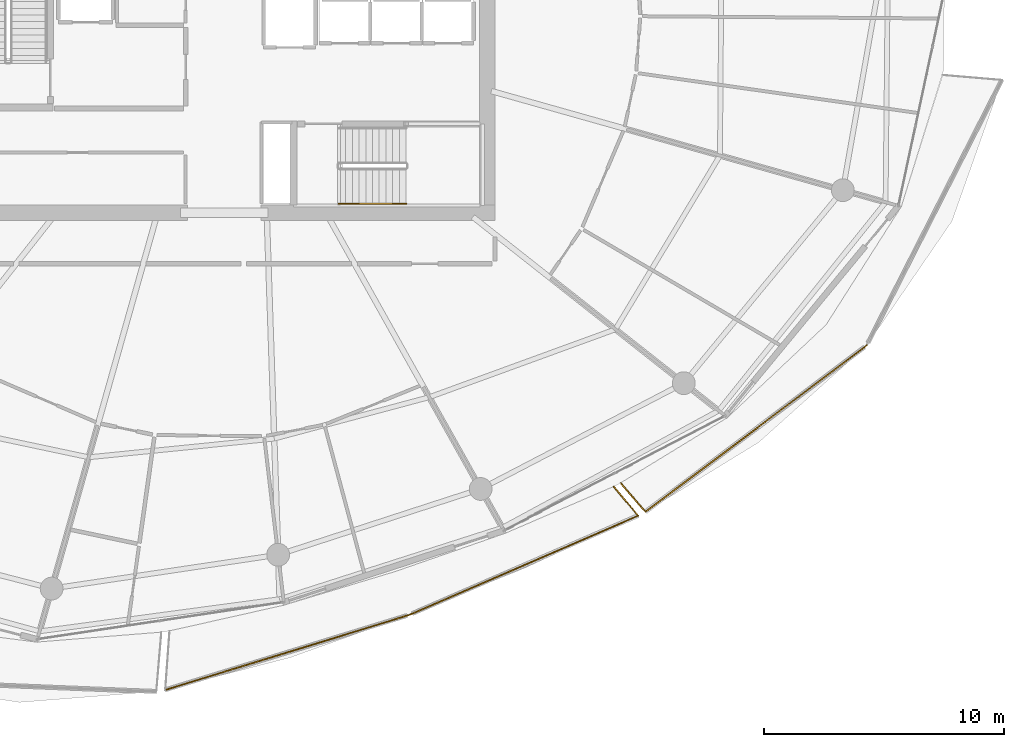
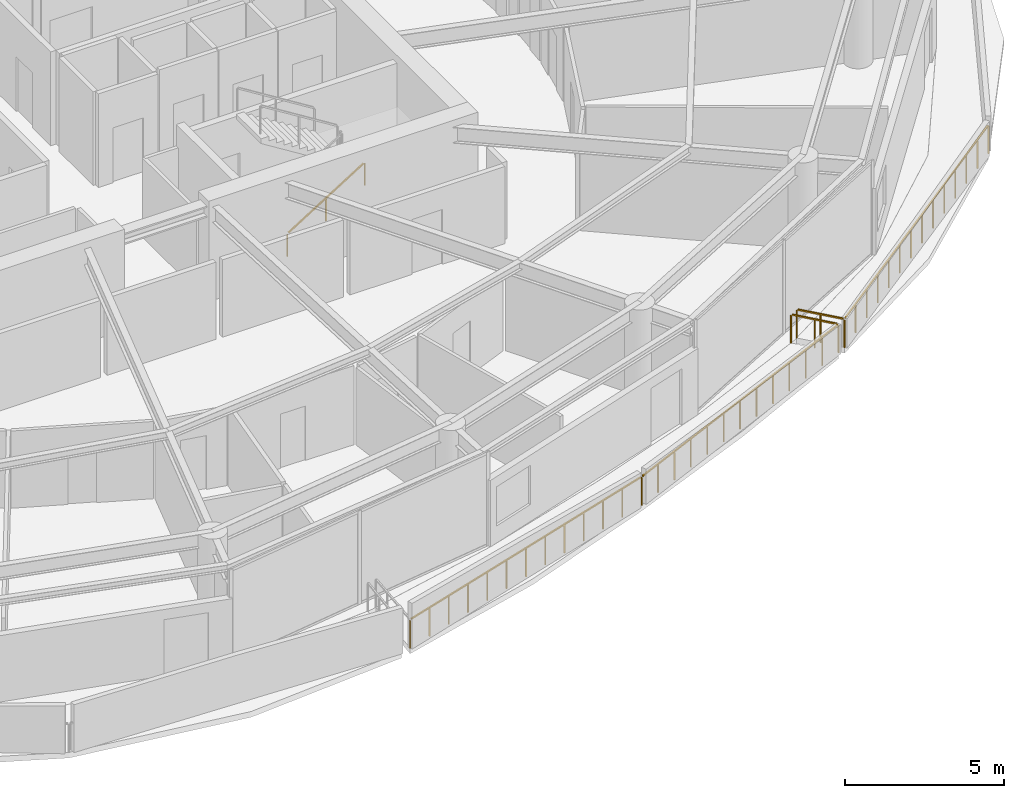
# One storey, part 27 of 31: 6 railings.
"""IFC4 building model written with IfcOpenShell, lengths in metres."""

from ifc_helpers import new_model, si_unit, direction, frame, origin, origin_2d, place, context, subcontext, project, spatial, rectangle, extrude, material, type_object, element, save


model = new_model("IFC4")

# Units and contexts
model_context = context("Model", 3, precision=1e-05, world=origin(), true_north=direction((0.0, 1.0)))
body_context = subcontext(model_context, "Body", "Model", "MODEL_VIEW")
ifc_project = project(units=[si_unit("LENGTHUNIT", "METRE"), si_unit("AREAUNIT", "SQUARE_METRE"), si_unit("VOLUMEUNIT", "CUBIC_METRE"), si_unit("PLANEANGLEUNIT", "RADIAN"), si_unit("MASSUNIT", "GRAM", prefix="KILO")], contexts=[model_context])

# Site, building, storey
site_placement = place(None, origin())
site = spatial("IfcSite", under=ifc_project, at=site_placement, CompositionType="ELEMENT")
building_placement = place(site_placement, origin())
building = spatial("IfcBuilding", under=site, at=building_placement, Name="Kazma Halo Residences", CompositionType="ELEMENT")
storey_placement = place(building_placement, frame((0.0, 0.0, 240.550048828125)))
storey = spatial("IfcBuildingStorey", under=building, at=storey_placement, Name="L60", CompositionType="ELEMENT", Elevation=240.550048828125)

# Railings
ifc_material_1 = material(Name="Aluminium AW-6063 T6 Brushed Cap Rail", Category="aluminium")
railing_type_1 = type_object("IfcRailingType", Name="RLG-BAL-CAP-1120", PredefinedType="BALUSTRADE", material=ifc_material_1)
railing_1_placement = place(storey_placement, frame((45.953369140625, 13.794189453125, 0.0)))
element("IfcRailing", 1, at=railing_1_placement, inside=storey, type_object=railing_type_1, Name="L60 SSE wave balcony guard 2", PredefinedType="BALUSTRADE", context=body_context, shape_type="SweptSolid", body=[
    extrude(rectangle(XDim=0.050048828125, YDim=0.050048828125, at=origin_2d()), frame((0.040771484375, 0.012451171875, 1.09521484375), z_axis=(0.955886857424, 0.293735111629, 0.0), x_axis=(-0.293735111629, 0.955886857424, 0.0)), (0.0, 0.0, 1.0), 10.57861328125),
    extrude(rectangle(XDim=0.0400390625, YDim=0.0400390625, at=origin_2d()), origin(), (0.0, 0.0, 1.0), 1.05810546875),
    extrude(rectangle(XDim=0.0400390625, YDim=0.0400390625, at=origin_2d()), frame((0.849365234375, 0.260986328125, 0.0)), (0.0, 0.0, 1.0), 1.05810546875),
    extrude(rectangle(XDim=0.0400390625, YDim=0.0400390625, at=origin_2d()), frame((1.698974609375, 0.52197265625, 0.0)), (0.0, 0.0, 1.0), 1.05810546875),
    extrude(rectangle(XDim=0.0400390625, YDim=0.0400390625, at=origin_2d()), frame((2.54833984375, 0.783203125, 0.0)), (0.0, 0.0, 1.0), 1.05810546875),
    extrude(rectangle(XDim=0.0400390625, YDim=0.0400390625, at=origin_2d()), frame((3.397705078125, 1.044189453125, 0.0)), (0.0, 0.0, 1.0), 1.05810546875),
    extrude(rectangle(XDim=0.0400390625, YDim=0.0400390625, at=origin_2d()), frame((4.247314453125, 1.30517578125, 0.0)), (0.0, 0.0, 1.0), 1.05810546875),
    extrude(rectangle(XDim=0.0400390625, YDim=0.0400390625, at=origin_2d()), frame((5.0966796875, 1.566162109375, 0.0)), (0.0, 0.0, 1.0), 1.05810546875),
    extrude(rectangle(XDim=0.0400390625, YDim=0.0400390625, at=origin_2d()), frame((5.946044921875, 1.8271484375, 0.0)), (0.0, 0.0, 1.0), 1.05810546875),
    extrude(rectangle(XDim=0.0400390625, YDim=0.0400390625, at=origin_2d()), frame((6.795654296875, 2.088134765625, 0.0)), (0.0, 0.0, 1.0), 1.05810546875),
    extrude(rectangle(XDim=0.0400390625, YDim=0.0400390625, at=origin_2d()), frame((7.64501953125, 2.34912109375, 0.0)), (0.0, 0.0, 1.0), 1.05810546875),
    extrude(rectangle(XDim=0.0400390625, YDim=0.0400390625, at=origin_2d()), frame((8.494384765625, 2.6103515625, 0.0)), (0.0, 0.0, 1.0), 1.05810546875),
    extrude(rectangle(XDim=0.0400390625, YDim=0.0400390625, at=origin_2d()), frame((9.343994140625, 2.871337890625, 0.0)), (0.0, 0.0, 1.0), 1.05810546875),
    extrude(rectangle(XDim=0.0400390625, YDim=0.0400390625, at=origin_2d()), frame((10.193359375, 3.13232421875, 0.0)), (0.0, 0.0, 1.0), 1.05810546875),
])
railing_2_placement = place(storey_placement, frame((56.146728515625, 16.926513671875, 0.0)))
element("IfcRailing", 2, at=railing_2_placement, inside=storey, type_object=railing_type_1, Name="L60 SSE wave balcony guard 3", PredefinedType="BALUSTRADE", context=body_context, shape_type="SweptSolid", body=[
    extrude(rectangle(XDim=0.050048828125, YDim=0.050048828125, at=origin_2d()), frame((0.0390625, 0.016845703125, 1.09521484375), z_axis=(0.917370135076, 0.398035218632, 0.0), x_axis=(-0.398035218632, 0.917370135076, 0.0)), (0.0, 0.0, 1.0), 10.29248046875),
    extrude(rectangle(XDim=0.0400390625, YDim=0.0400390625, at=origin_2d()), origin(), (0.0, 0.0, 1.0), 1.05810546875),
    extrude(rectangle(XDim=0.0400390625, YDim=0.0400390625, at=origin_2d()), frame((0.79345703125, 0.34423828125, 0.0)), (0.0, 0.0, 1.0), 1.05810546875),
    extrude(rectangle(XDim=0.0400390625, YDim=0.0400390625, at=origin_2d()), frame((1.586669921875, 0.6884765625, 0.0)), (0.0, 0.0, 1.0), 1.05810546875),
    extrude(rectangle(XDim=0.0400390625, YDim=0.0400390625, at=origin_2d()), frame((2.3798828125, 1.03271484375, 0.0)), (0.0, 0.0, 1.0), 1.05810546875),
    extrude(rectangle(XDim=0.0400390625, YDim=0.0400390625, at=origin_2d()), frame((3.17333984375, 1.376953125, 0.0)), (0.0, 0.0, 1.0), 1.05810546875),
    extrude(rectangle(XDim=0.0400390625, YDim=0.0400390625, at=origin_2d()), frame((3.966796875, 1.72119140625, 0.0)), (0.0, 0.0, 1.0), 1.05810546875),
    extrude(rectangle(XDim=0.0400390625, YDim=0.0400390625, at=origin_2d()), frame((4.760009765625, 2.0654296875, 0.0)), (0.0, 0.0, 1.0), 1.05810546875),
    extrude(rectangle(XDim=0.0400390625, YDim=0.0400390625, at=origin_2d()), frame((5.55322265625, 2.409423828125, 0.0)), (0.0, 0.0, 1.0), 1.05810546875),
    extrude(rectangle(XDim=0.0400390625, YDim=0.0400390625, at=origin_2d()), frame((6.3466796875, 2.753662109375, 0.0)), (0.0, 0.0, 1.0), 1.05810546875),
    extrude(rectangle(XDim=0.0400390625, YDim=0.0400390625, at=origin_2d()), frame((7.14013671875, 3.097900390625, 0.0)), (0.0, 0.0, 1.0), 1.05810546875),
    extrude(rectangle(XDim=0.0400390625, YDim=0.0400390625, at=origin_2d()), frame((7.933349609375, 3.442138671875, 0.0)), (0.0, 0.0, 1.0), 1.05810546875),
    extrude(rectangle(XDim=0.0400390625, YDim=0.0400390625, at=origin_2d()), frame((8.7265625, 3.786376953125, 0.0)), (0.0, 0.0, 1.0), 1.05810546875),
    extrude(rectangle(XDim=0.0400390625, YDim=0.0400390625, at=origin_2d()), frame((9.52001953125, 4.130615234375, 0.0)), (0.0, 0.0, 1.0), 1.05810546875),
])
railing_3_placement = place(storey_placement, frame((65.666748046875, 21.05712890625, 0.0)))
element("IfcRailing", 3, at=railing_3_placement, inside=storey, type_object=railing_type_1, Name="L60 SSE wave balcony guard 4", PredefinedType="BALUSTRADE", context=body_context, shape_type="SweptSolid", body=[
    extrude(rectangle(XDim=0.050048828125, YDim=0.050048828125, at=origin_2d()), frame((-0.02734375, 0.032470703125, 1.09521484375), z_axis=(-0.644823146011, 0.764331806461, 0.0), x_axis=(-0.764331806461, -0.644823146011, 0.0)), (0.0, 0.0, 1.0), 1.500244140625),
    extrude(rectangle(XDim=0.0400390625, YDim=0.0400390625, at=origin_2d()), origin(), (0.0, 0.0, 1.0), 1.05810546875),
    extrude(rectangle(XDim=0.0400390625, YDim=0.0400390625, at=origin_2d()), frame((-0.51123046875, 0.60595703125, 0.0)), (0.0, 0.0, 1.0), 1.05810546875),
    extrude(rectangle(XDim=0.0400390625, YDim=0.0400390625, at=origin_2d()), frame((-1.022216796875, 1.211669921875, 0.0)), (0.0, 0.0, 1.0), 1.05810546875),
])
railing_4_placement = place(storey_placement, frame((64.93212890625, 22.41845703125, 0.0)))
element("IfcRailing", 4, at=railing_4_placement, inside=storey, type_object=railing_type_1, Name="L60 SE wave balcony guard 1", PredefinedType="BALUSTRADE", context=body_context, shape_type="SweptSolid", body=[
    extrude(rectangle(XDim=0.050048828125, YDim=0.050048828125, at=origin_2d()), frame((0.02783203125, -0.0322265625, 1.09521484375), z_axis=(0.654135317285, -0.756377542422, 0.0), x_axis=(0.756377542422, 0.654135317285, 0.0)), (0.0, 0.0, 1.0), 1.505126953125),
    extrude(rectangle(XDim=0.0400390625, YDim=0.0400390625, at=origin_2d()), origin(), (0.0, 0.0, 1.0), 1.05810546875),
    extrude(rectangle(XDim=0.0400390625, YDim=0.0400390625, at=origin_2d()), frame((0.52001953125, -0.6015625, 0.0)), (0.0, 0.0, 1.0), 1.05810546875),
    extrude(rectangle(XDim=0.0400390625, YDim=0.0400390625, at=origin_2d()), frame((1.040283203125, -1.202880859375, 0.0)), (0.0, 0.0, 1.0), 1.05810546875),
])
railing_5_placement = place(storey_placement, frame((65.972412109375, 21.215576171875, 0.0)))
element("IfcRailing", 5, at=railing_5_placement, inside=storey, type_object=railing_type_1, Name="L60 SE wave balcony guard 2", PredefinedType="BALUSTRADE", context=body_context, shape_type="SweptSolid", body=[
    extrude(rectangle(XDim=0.050048828125, YDim=0.050048828125, at=origin_2d()), frame((0.033935546875, 0.025634765625, 1.09521484375), z_axis=(0.799153154591, 0.601127470265, 0.0), x_axis=(-0.601127470265, 0.799153154591, 0.0)), (0.0, 0.0, 1.0), 11.446044921875),
    extrude(rectangle(XDim=0.0400390625, YDim=0.0400390625, at=origin_2d()), origin(), (0.0, 0.0, 1.0), 1.05810546875),
    extrude(rectangle(XDim=0.0400390625, YDim=0.0400390625, at=origin_2d()), frame((0.708740234375, 0.533203125, 0.0)), (0.0, 0.0, 1.0), 1.05810546875),
    extrude(rectangle(XDim=0.0400390625, YDim=0.0400390625, at=origin_2d()), frame((1.417724609375, 1.06640625, 0.0)), (0.0, 0.0, 1.0), 1.05810546875),
    extrude(rectangle(XDim=0.0400390625, YDim=0.0400390625, at=origin_2d()), frame((2.12646484375, 1.599609375, 0.0)), (0.0, 0.0, 1.0), 1.05810546875),
    extrude(rectangle(XDim=0.0400390625, YDim=0.0400390625, at=origin_2d()), frame((2.83544921875, 2.1328125, 0.0)), (0.0, 0.0, 1.0), 1.05810546875),
    extrude(rectangle(XDim=0.0400390625, YDim=0.0400390625, at=origin_2d()), frame((3.544189453125, 2.666015625, 0.0)), (0.0, 0.0, 1.0), 1.05810546875),
    extrude(rectangle(XDim=0.0400390625, YDim=0.0400390625, at=origin_2d()), frame((4.253173828125, 3.19921875, 0.0)), (0.0, 0.0, 1.0), 1.05810546875),
    extrude(rectangle(XDim=0.0400390625, YDim=0.0400390625, at=origin_2d()), frame((4.9619140625, 3.732421875, 0.0)), (0.0, 0.0, 1.0), 1.05810546875),
    extrude(rectangle(XDim=0.0400390625, YDim=0.0400390625, at=origin_2d()), frame((5.6708984375, 4.265625, 0.0)), (0.0, 0.0, 1.0), 1.05810546875),
    extrude(rectangle(XDim=0.0400390625, YDim=0.0400390625, at=origin_2d()), frame((6.379638671875, 4.798828125, 0.0)), (0.0, 0.0, 1.0), 1.05810546875),
    extrude(rectangle(XDim=0.0400390625, YDim=0.0400390625, at=origin_2d()), frame((7.088623046875, 5.33203125, 0.0)), (0.0, 0.0, 1.0), 1.05810546875),
    extrude(rectangle(XDim=0.0400390625, YDim=0.0400390625, at=origin_2d()), frame((7.79736328125, 5.865234375, 0.0)), (0.0, 0.0, 1.0), 1.05810546875),
    extrude(rectangle(XDim=0.0400390625, YDim=0.0400390625, at=origin_2d()), frame((8.50634765625, 6.3984375, 0.0)), (0.0, 0.0, 1.0), 1.05810546875),
    extrude(rectangle(XDim=0.0400390625, YDim=0.0400390625, at=origin_2d()), frame((9.215087890625, 6.931640625, 0.0)), (0.0, 0.0, 1.0), 1.05810546875),
])
ifc_material_2 = material(Name="Brushed Stainless Steel", Category="steel")
railing_type_2 = type_object("IfcRailingType", Name="RLG-STAIR-HND-900", PredefinedType="HANDRAIL", material=ifc_material_2)
railing_6_placement = place(storey_placement, frame((53.199951171875, 34.050048828125, 0.175048828125)))
element("IfcRailing", 6, at=railing_6_placement, inside=storey, type_object=railing_type_2, Name="L60 ST-03 stair handrail 1", PredefinedType="HANDRAIL", context=body_context, shape_type="SweptSolid", body=[
    extrude(rectangle(XDim=0.050048828125, YDim=0.050048828125, at=origin_2d()), frame((0.0361328125, 0.0, 0.8974609375), z_axis=(0.848002457836, 0.0, 0.529992293815), x_axis=(0.0, 1.0, 0.0)), (0.0, 0.0, 1.0), 3.216796875),
    extrude(rectangle(XDim=0.0400390625, YDim=0.0400390625, at=origin_2d()), origin(), (0.0, 0.0, 1.0), 0.837890625),
    extrude(rectangle(XDim=0.0400390625, YDim=0.0400390625, at=origin_2d()), frame((1.39990234375, 0.0, 0.875)), (0.0, 0.0, 1.0), 0.837890625),
    extrude(rectangle(XDim=0.0400390625, YDim=0.0400390625, at=origin_2d()), frame((2.800048828125, 0.0, 1.75)), (0.0, 0.0, 1.0), 0.837890625),
])

save(model, "model.ifc")
